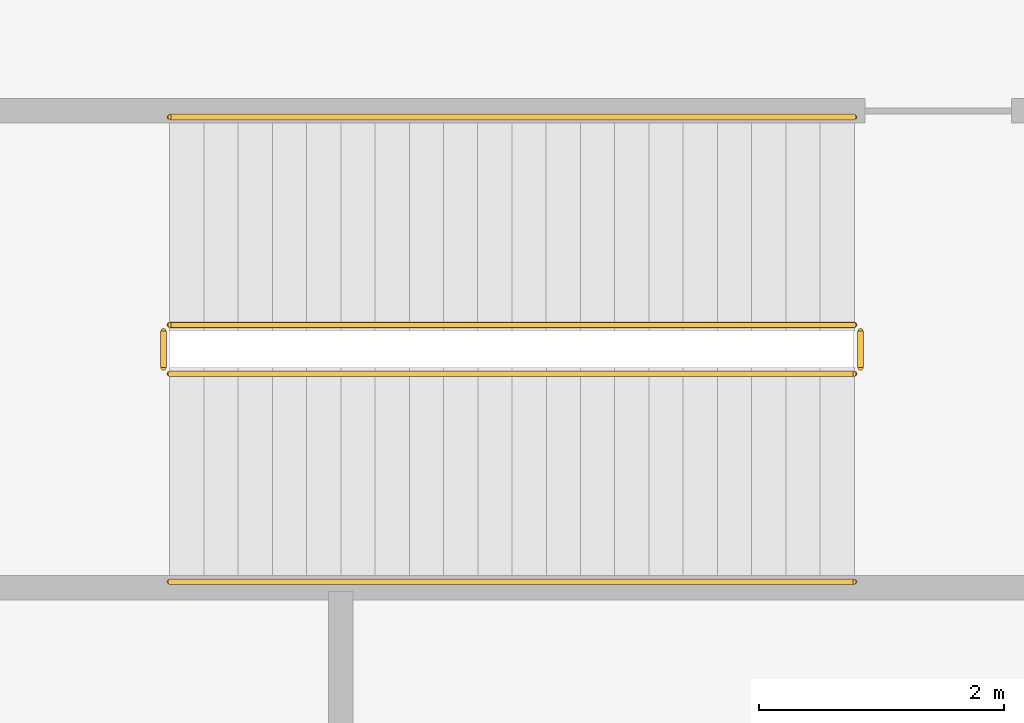
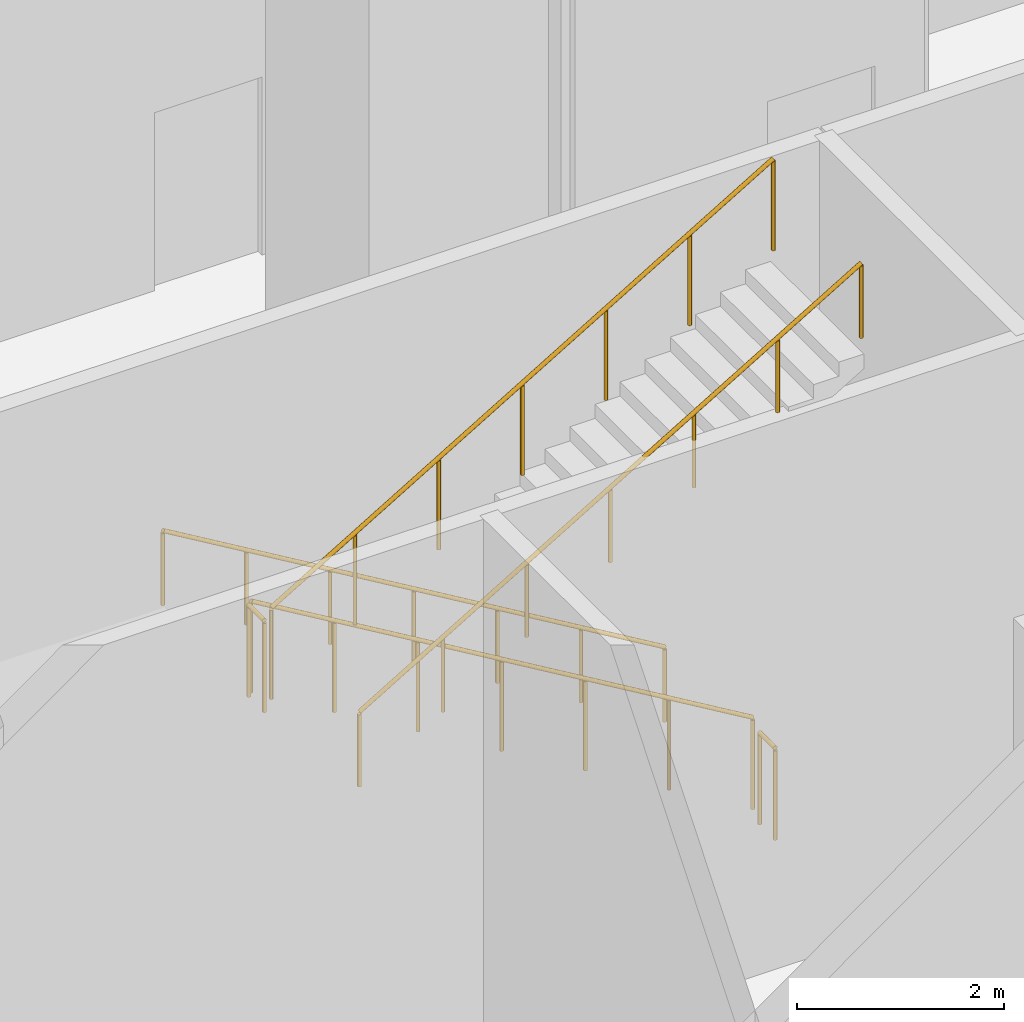
# One storey, part 25 of 37: 6 railings.
"""IFC4 building model written with IfcOpenShell, lengths in metres."""

from ifc_helpers import new_model, si_unit, direction, frame, origin, origin_2d, place, context, subcontext, project, spatial, circle, extrude, material, type_object, element, save


model = new_model("IFC4")

# Units and contexts
model_context = context("Model", 3, precision=1e-05, world=origin(), true_north=direction((0.0, 1.0)))
body_context = subcontext(model_context, "Body", "Model", "MODEL_VIEW")
ifc_project = project(units=[si_unit("LENGTHUNIT", "METRE"), si_unit("AREAUNIT", "SQUARE_METRE"), si_unit("VOLUMEUNIT", "CUBIC_METRE"), si_unit("PLANEANGLEUNIT", "RADIAN"), si_unit("MASSUNIT", "GRAM", prefix="KILO")], contexts=[model_context])

# Site, building, storey
site_placement = place(None, origin())
site = spatial("IfcSite", under=ifc_project, at=site_placement, CompositionType="ELEMENT")
building_placement = place(site_placement, origin())
building = spatial("IfcBuilding", under=site, at=building_placement, Name="Tamarind Cross Interchange Tower", CompositionType="ELEMENT")
storey_placement = place(building_placement, frame((0.0, 0.0, -7.0)))
storey = spatial("IfcBuildingStorey", under=building, at=storey_placement, Name="B1", CompositionType="ELEMENT", Elevation=-7.0)

# Railings
ifc_material_1 = material(Name="Public stair guard")
railing_type_1 = type_object("IfcRailingType", Name="Public stair guard", PredefinedType="GUARDRAIL", material=ifc_material_1)
railing_1_placement = place(storey_placement, frame((53.699951171875, -33.25, 0.166748046875)))
element("IfcRailing", 1, at=railing_1_placement, inside=storey, type_object=railing_type_1, Name="B1 XS-P10 stair guard 1", PredefinedType="GUARDRAIL", context=body_context, shape_type="SweptSolid", body=[
    extrude(circle(Radius=0.02392578125, at=origin_2d()), frame((0.0, 0.0, 1.076171875), z_axis=(-0.859292492371, 0.0, 0.511484518392), x_axis=(0.0, -1.0, 0.0)), (0.0, 0.0, 1.0), 6.516845703125),
    extrude(circle(Radius=0.02099609375, at=origin_2d()), origin(), (0.0, 0.0, 1.0), 1.052001953125),
    extrude(circle(Radius=0.02099609375, at=origin_2d()), frame((-0.933349609375, 0.0, 0.5556640625)), (0.0, 0.0, 1.0), 1.052001953125),
    extrude(circle(Radius=0.02099609375, at=origin_2d()), frame((-1.86669921875, 0.0, 1.111083984375)), (0.0, 0.0, 1.0), 1.052001953125),
    extrude(circle(Radius=0.02099609375, at=origin_2d()), frame((-2.7998046875, 0.0, 1.66650390625)), (0.0, 0.0, 1.0), 1.052001953125),
    extrude(circle(Radius=0.02099609375, at=origin_2d()), frame((-3.733154296875, 0.0, 2.22216796875)), (0.0, 0.0, 1.0), 1.052001953125),
    extrude(circle(Radius=0.02099609375, at=origin_2d()), frame((-4.66650390625, 0.0, 2.77783203125)), (0.0, 0.0, 1.0), 1.052001953125),
    extrude(circle(Radius=0.02099609375, at=origin_2d()), frame((-5.599853515625, 0.0, 3.333251953125)), (0.0, 0.0, 1.0), 1.052001953125),
])
railing_2_placement = place(storey_placement, frame((48.050048828125, -33.300048828125, 3.5)))
element("IfcRailing", 2, at=railing_2_placement, inside=storey, type_object=railing_type_1, Name="B1 XS-P10 stair guard 2", PredefinedType="GUARDRAIL", context=body_context, shape_type="SweptSolid", body=[
    extrude(circle(Radius=0.02392578125, at=origin_2d()), frame((0.0, 0.0, 1.076171875), z_axis=(0.0, -1.0, 0.0), x_axis=(1.0, 0.0, 0.0)), (0.0, 0.0, 1.0), 0.300048828125),
    extrude(circle(Radius=0.02099609375, at=origin_2d()), origin(), (0.0, 0.0, 1.0), 1.052001953125),
    extrude(circle(Radius=0.02099609375, at=origin_2d()), frame((0.0, -0.300048828125, 0.0)), (0.0, 0.0, 1.0), 1.052001953125),
])
railing_3_placement = place(storey_placement, frame((48.10009765625, -33.64990234375, 3.666748046875)))
element("IfcRailing", 3, at=railing_3_placement, inside=storey, type_object=railing_type_1, Name="B1 XS-P10 stair guard 3", PredefinedType="GUARDRAIL", context=body_context, shape_type="SweptSolid", body=[
    extrude(circle(Radius=0.02392578125, at=origin_2d()), frame((0.0, 0.0, 1.076171875), z_axis=(0.859292492371, 0.0, 0.511484518392), x_axis=(0.0, 1.0, 0.0)), (0.0, 0.0, 1.0), 6.516845703125),
    extrude(circle(Radius=0.02099609375, at=origin_2d()), origin(), (0.0, 0.0, 1.0), 1.052001953125),
    extrude(circle(Radius=0.02099609375, at=origin_2d()), frame((0.933349609375, 0.0, 0.5556640625)), (0.0, 0.0, 1.0), 1.052001953125),
    extrude(circle(Radius=0.02099609375, at=origin_2d()), frame((1.86669921875, 0.0, 1.111083984375)), (0.0, 0.0, 1.0), 1.052001953125),
    extrude(circle(Radius=0.02099609375, at=origin_2d()), frame((2.7998046875, 0.0, 1.66650390625)), (0.0, 0.0, 1.0), 1.052001953125),
    extrude(circle(Radius=0.02099609375, at=origin_2d()), frame((3.733154296875, 0.0, 2.22216796875)), (0.0, 0.0, 1.0), 1.052001953125),
    extrude(circle(Radius=0.02099609375, at=origin_2d()), frame((4.66650390625, 0.0, 2.77783203125)), (0.0, 0.0, 1.0), 1.052001953125),
    extrude(circle(Radius=0.02099609375, at=origin_2d()), frame((5.599853515625, 0.0, 3.333251953125)), (0.0, 0.0, 1.0), 1.052001953125),
])
railing_4_placement = place(storey_placement, frame((53.75, -33.300048828125, 0.0)))
element("IfcRailing", 4, at=railing_4_placement, inside=storey, type_object=railing_type_1, Name="B1 XS-P10 stair guard 4", PredefinedType="GUARDRAIL", context=body_context, shape_type="SweptSolid", body=[
    extrude(circle(Radius=0.02392578125, at=origin_2d()), frame((0.0, 0.0, 1.076171875), z_axis=(0.0, -1.0, 0.0), x_axis=(1.0, 0.0, 0.0)), (0.0, 0.0, 1.0), 0.300048828125),
    extrude(circle(Radius=0.02099609375, at=origin_2d()), origin(), (0.0, 0.0, 1.0), 1.052001953125),
    extrude(circle(Radius=0.02099609375, at=origin_2d()), frame((0.0, -0.300048828125, 0.0)), (0.0, 0.0, 1.0), 1.052001953125),
])
ifc_material_2 = material(Name="Public stair handrail")
railing_type_2 = type_object("IfcRailingType", Name="Public stair handrail", PredefinedType="HANDRAIL", material=ifc_material_2)
railing_5_placement = place(storey_placement, frame((53.699951171875, -31.550048828125, 0.166748046875)))
element("IfcRailing", 5, at=railing_5_placement, inside=storey, type_object=railing_type_2, Name="B1 XS-P10 stair handrail 1", PredefinedType="HANDRAIL", context=body_context, shape_type="SweptSolid", body=[
    extrude(circle(Radius=0.02392578125, at=origin_2d()), frame((0.0, 0.0, 0.8759765625), z_axis=(-0.859292492371, 0.0, 0.511484518392), x_axis=(0.0, -1.0, 0.0)), (0.0, 0.0, 1.0), 6.516845703125),
    extrude(circle(Radius=0.02099609375, at=origin_2d()), origin(), (0.0, 0.0, 1.0), 0.851806640625),
    extrude(circle(Radius=0.02099609375, at=origin_2d()), frame((-0.933349609375, 0.0, 0.5556640625)), (0.0, 0.0, 1.0), 0.851806640625),
    extrude(circle(Radius=0.02099609375, at=origin_2d()), frame((-1.86669921875, 0.0, 1.111083984375)), (0.0, 0.0, 1.0), 0.851806640625),
    extrude(circle(Radius=0.02099609375, at=origin_2d()), frame((-2.7998046875, 0.0, 1.66650390625)), (0.0, 0.0, 1.0), 0.851806640625),
    extrude(circle(Radius=0.02099609375, at=origin_2d()), frame((-3.733154296875, 0.0, 2.22216796875)), (0.0, 0.0, 1.0), 0.851806640625),
    extrude(circle(Radius=0.02099609375, at=origin_2d()), frame((-4.66650390625, 0.0, 2.77783203125)), (0.0, 0.0, 1.0), 0.851806640625),
    extrude(circle(Radius=0.02099609375, at=origin_2d()), frame((-5.599853515625, 0.0, 3.333251953125)), (0.0, 0.0, 1.0), 0.851806640625),
])
railing_6_placement = place(storey_placement, frame((48.10009765625, -35.35009765625, 3.666748046875)))
element("IfcRailing", 6, at=railing_6_placement, inside=storey, type_object=railing_type_2, Name="B1 XS-P10 stair handrail 2", PredefinedType="HANDRAIL", context=body_context, shape_type="SweptSolid", body=[
    extrude(circle(Radius=0.02392578125, at=origin_2d()), frame((0.0, 0.0, 0.8759765625), z_axis=(0.859292492371, 0.0, 0.511484518392), x_axis=(0.0, 1.0, 0.0)), (0.0, 0.0, 1.0), 6.516845703125),
    extrude(circle(Radius=0.02099609375, at=origin_2d()), origin(), (0.0, 0.0, 1.0), 0.851806640625),
    extrude(circle(Radius=0.02099609375, at=origin_2d()), frame((0.933349609375, 0.0, 0.5556640625)), (0.0, 0.0, 1.0), 0.851806640625),
    extrude(circle(Radius=0.02099609375, at=origin_2d()), frame((1.86669921875, 0.0, 1.111083984375)), (0.0, 0.0, 1.0), 0.851806640625),
    extrude(circle(Radius=0.02099609375, at=origin_2d()), frame((2.7998046875, 0.0, 1.66650390625)), (0.0, 0.0, 1.0), 0.851806640625),
    extrude(circle(Radius=0.02099609375, at=origin_2d()), frame((3.733154296875, 0.0, 2.22216796875)), (0.0, 0.0, 1.0), 0.851806640625),
    extrude(circle(Radius=0.02099609375, at=origin_2d()), frame((4.66650390625, 0.0, 2.77783203125)), (0.0, 0.0, 1.0), 0.851806640625),
    extrude(circle(Radius=0.02099609375, at=origin_2d()), frame((5.599853515625, 0.0, 3.333251953125)), (0.0, 0.0, 1.0), 0.851806640625),
])

save(model, "model.ifc")
